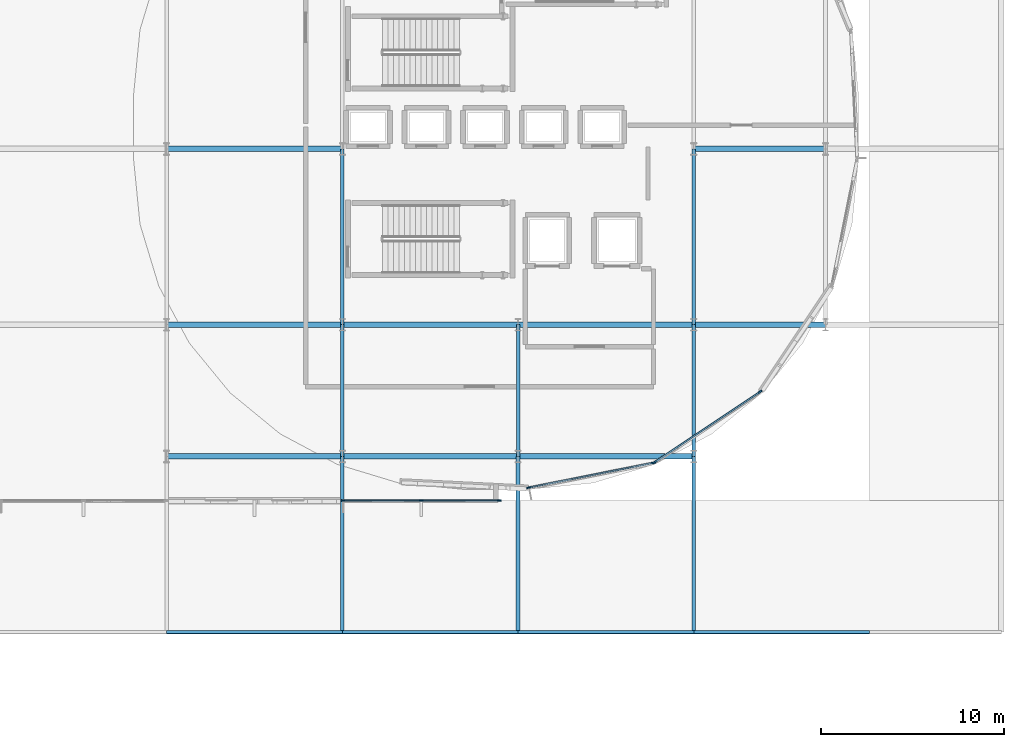
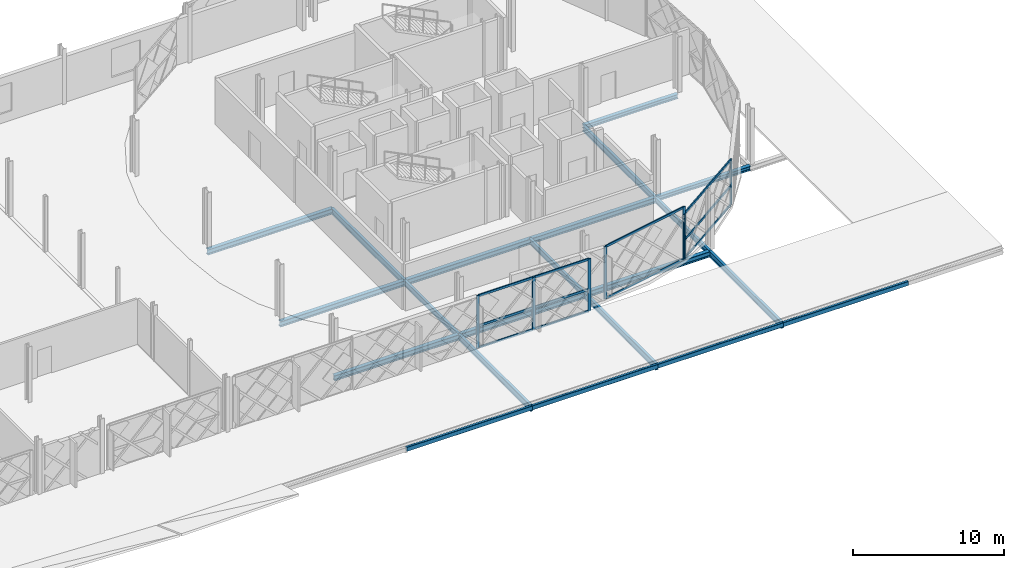
# One storey, part 51 of 101: 21 beams, 18 members, 3 elements without a shape of their own.
"""IFC4 building model written with IfcOpenShell, lengths in metres."""

from ifc_helpers import new_model, si_unit, direction, frame, origin, origin_2d, place, context, subcontext, project, spatial, rectangle, hollow_rectangle, i_section, extrude, material, layer, layer_set, material_profile, profile_set, type_object, element, aggregate, save


model = new_model("IFC4")

# Units and contexts
model_context = context("Model", 3, precision=1e-05, world=origin(), true_north=direction((0.0, 1.0)))
body_context = subcontext(model_context, "Body", "Model", "MODEL_VIEW")
ifc_project = project(units=[si_unit("LENGTHUNIT", "METRE"), si_unit("AREAUNIT", "SQUARE_METRE"), si_unit("VOLUMEUNIT", "CUBIC_METRE"), si_unit("PLANEANGLEUNIT", "RADIAN"), si_unit("MASSUNIT", "GRAM", prefix="KILO")], contexts=[model_context])

# Site, building, storey
site_placement = place(None, origin())
site = spatial("IfcSite", under=ifc_project, at=site_placement, CompositionType="ELEMENT")
building_placement = place(site_placement, origin())
building = spatial("IfcBuilding", under=site, at=building_placement, Name="Zevrakil Square Congress Hotel", CompositionType="ELEMENT")
storey_placement = place(building_placement, frame((0.0, 0.0, 5.39990234375)))
storey = spatial("IfcBuildingStorey", under=building, at=storey_placement, Name="L02", CompositionType="ELEMENT", Elevation=5.39990234375)

# Beams
ifc_material_1 = material(Name="Steel S355", Category="steel")
ifc_material_profile_1 = material_profile(ifc_material_1, i_section(OverallWidth=0.300048828125, OverallDepth=0.35009765625, WebThickness=0.010009765625, FlangeThickness=0.017578125, FilletRadius=0.027099609375, at=origin_2d()), Name="HEA 360")
ifc_profile_set_1 = profile_set([ifc_material_profile_1], Name="Steel S355")
beam_type_1 = type_object("IfcBeamType", Name="BM-HEA360", PredefinedType="BEAM", material=ifc_profile_set_1)
for number, where, z_axis, x_axis, name in (
    (1, (156.0, 16.800048828125, -0.434814453125), (1.0, 0.0, 0.0), (0.0, 1.0, 0.0), "L02 primary girder BX-0705"),
    (2, (156.0, 26.39990234375, -0.434814453125), (1.0, 0.0, 0.0), (0.0, 1.0, 0.0), "L02 primary girder BX-0716"),
):
    element("IfcBeam", number, at=place(storey_placement, frame(where, z_axis=z_axis, x_axis=x_axis)), inside=storey, type_object=beam_type_1, Name=name, PredefinedType="BEAM", context=body_context, shape_type="SweptSolid", body=[
        extrude(i_section(OverallWidth=0.300048828125, OverallDepth=0.35009765625, WebThickness=0.010009765625, FlangeThickness=0.017578125, FilletRadius=0.027099609375, at=origin_2d()), origin(), (0.0, 0.0, 1.0), 7.199951171875),
    ])
ifc_material_2 = material(Name="Steel S355", Category="steel")
ifc_material_profile_2 = material_profile(ifc_material_2, i_section(OverallWidth=0.300048828125, OverallDepth=0.43994140625, WebThickness=0.011474609375, FlangeThickness=0.02099609375, FilletRadius=0.027099609375, at=origin_2d()), Name="HEA 450")
ifc_profile_set_2 = profile_set([ifc_material_profile_2], Name="Steel S355")
beam_type_2 = type_object("IfcBeamType", Name="BM-HEA450", PredefinedType="BEAM", material=ifc_profile_set_2)
beam_1_placement = place(storey_placement, frame((127.199951171875, 9.60009765625, -0.47998046875), z_axis=(1.0, 0.0, 0.0), x_axis=(0.0, 1.0, 0.0)))
element("IfcBeam", 3, at=beam_1_placement, inside=storey, type_object=beam_type_2, Name="L02 primary girder BX-0689", PredefinedType="BEAM", context=body_context, shape_type="SweptSolid", body=[
    extrude(i_section(OverallWidth=0.300048828125, OverallDepth=0.43994140625, WebThickness=0.011474609375, FlangeThickness=0.02099609375, FilletRadius=0.027099609375, at=origin_2d()), origin(), (0.0, 0.0, 1.0), 9.60009765625),
])
beam_2_placement = place(storey_placement, frame((136.800048828125, 9.60009765625, -0.47998046875), z_axis=(1.0, 0.0, 0.0), x_axis=(0.0, 1.0, 0.0)))
element("IfcBeam", 4, at=beam_2_placement, inside=storey, type_object=beam_type_2, Name="L02 primary girder BX-0690", PredefinedType="BEAM", context=body_context, shape_type="SweptSolid", body=[
    extrude(i_section(OverallWidth=0.300048828125, OverallDepth=0.43994140625, WebThickness=0.011474609375, FlangeThickness=0.02099609375, FilletRadius=0.027099609375, at=origin_2d()), origin(), (0.0, 0.0, 1.0), 9.599853515625),
])
for number, where, z_axis, x_axis, name in (
    (5, (146.39990234375, 9.60009765625, -0.47998046875), (1.0, 0.0, 0.0), (0.0, 1.0, 0.0), "L02 primary girder BX-0691"),
    (6, (127.199951171875, 16.800048828125, -0.47998046875), (1.0, 0.0, 0.0), (0.0, 1.0, 0.0), "L02 primary girder BX-0702"),
):
    element("IfcBeam", number, at=place(storey_placement, frame(where, z_axis=z_axis, x_axis=x_axis)), inside=storey, type_object=beam_type_2, Name=name, PredefinedType="BEAM", context=body_context, shape_type="SweptSolid", body=[
        extrude(i_section(OverallWidth=0.300048828125, OverallDepth=0.43994140625, WebThickness=0.011474609375, FlangeThickness=0.02099609375, FilletRadius=0.027099609375, at=origin_2d()), origin(), (0.0, 0.0, 1.0), 9.60009765625),
    ])
beam_3_placement = place(storey_placement, frame((136.800048828125, 16.800048828125, -0.47998046875), z_axis=(1.0, 0.0, 0.0), x_axis=(0.0, 1.0, 0.0)))
element("IfcBeam", 7, at=beam_3_placement, inside=storey, type_object=beam_type_2, Name="L02 primary girder BX-0703", PredefinedType="BEAM", context=body_context, shape_type="SweptSolid", body=[
    extrude(i_section(OverallWidth=0.300048828125, OverallDepth=0.43994140625, WebThickness=0.011474609375, FlangeThickness=0.02099609375, FilletRadius=0.027099609375, at=origin_2d()), origin(), (0.0, 0.0, 1.0), 9.599853515625),
])
for number, where, z_axis, x_axis, name in (
    (8, (146.39990234375, 16.800048828125, -0.47998046875), (1.0, 0.0, 0.0), (0.0, 1.0, 0.0), "L02 primary girder BX-0704"),
    (9, (127.199951171875, 26.39990234375, -0.47998046875), (1.0, 0.0, 0.0), (0.0, 1.0, 0.0), "L02 primary girder BX-0715"),
):
    element("IfcBeam", number, at=place(storey_placement, frame(where, z_axis=z_axis, x_axis=x_axis)), inside=storey, type_object=beam_type_2, Name=name, PredefinedType="BEAM", context=body_context, shape_type="SweptSolid", body=[
        extrude(i_section(OverallWidth=0.300048828125, OverallDepth=0.43994140625, WebThickness=0.011474609375, FlangeThickness=0.02099609375, FilletRadius=0.027099609375, at=origin_2d()), origin(), (0.0, 0.0, 1.0), 9.60009765625),
    ])
ifc_material_3 = material(Name="Steel S355", Category="steel")
ifc_material_profile_3 = material_profile(ifc_material_3, i_section(OverallWidth=0.18994140625, OverallDepth=0.449951171875, WebThickness=0.009521484375, FlangeThickness=0.0146484375, FilletRadius=0.02099609375, at=origin_2d()), Name="IPE 450")
ifc_profile_set_3 = profile_set([ifc_material_profile_3], Name="Steel S355")
beam_type_3 = type_object("IfcBeamType", Name="BM-IPE450", PredefinedType="BEAM", material=ifc_profile_set_3)
for number, where, z_axis, x_axis, name in (
    (10, (136.800048828125, 9.60009765625, -0.48486328125), (0.0, 1.0, 0.0), (-1.0, 0.0, 0.0), "L02 primary girder BY-0938"),
    (11, (146.39990234375, 9.60009765625, -0.48486328125), (0.0, 1.0, 0.0), (-1.0, 0.0, 0.0), "L02 primary girder BY-0943"),
    (12, (156.0, 9.60009765625, -0.48486328125), (0.0, 1.0, 0.0), (-1.0, 0.0, 0.0), "L02 primary girder BY-0945"),
):
    element("IfcBeam", number, at=place(storey_placement, frame(where, z_axis=z_axis, x_axis=x_axis)), inside=storey, type_object=beam_type_3, Name=name, PredefinedType="BEAM", context=body_context, shape_type="SweptSolid", body=[
        extrude(i_section(OverallWidth=0.18994140625, OverallDepth=0.449951171875, WebThickness=0.009521484375, FlangeThickness=0.0146484375, FilletRadius=0.02099609375, at=origin_2d()), origin(), (0.0, 0.0, 1.0), 7.199951171875),
    ])
ifc_material_4 = material(Name="Steel S355", Category="steel")
ifc_material_profile_4 = material_profile(ifc_material_4, i_section(OverallWidth=0.199951171875, OverallDepth=0.5, WebThickness=0.01025390625, FlangeThickness=0.01611328125, FilletRadius=0.02099609375, at=origin_2d()), Name="IPE 500")
ifc_profile_set_4 = profile_set([ifc_material_profile_4], Name="Steel S355")
beam_type_4 = type_object("IfcBeamType", Name="BM-IPE500", PredefinedType="BEAM", material=ifc_profile_set_4)
beam_4_placement = place(storey_placement, frame((136.800048828125, 0.0, -0.510009765625), z_axis=(0.0, 1.0, 0.0), x_axis=(-1.0, 0.0, 0.0)))
element("IfcBeam", 13, at=beam_4_placement, inside=storey, type_object=beam_type_4, Name="L02 primary girder BY-0937", PredefinedType="BEAM", context=body_context, shape_type="SweptSolid", body=[
    extrude(i_section(OverallWidth=0.199951171875, OverallDepth=0.5, WebThickness=0.01025390625, FlangeThickness=0.01611328125, FilletRadius=0.02099609375, at=origin_2d()), origin(), (0.0, 0.0, 1.0), 9.60009765625),
])
beam_5_placement = place(storey_placement, frame((136.800048828125, 16.800048828125, -0.510009765625), z_axis=(0.0, 1.0, 0.0), x_axis=(-1.0, 0.0, 0.0)))
element("IfcBeam", 14, at=beam_5_placement, inside=storey, type_object=beam_type_4, Name="L02 primary girder BY-0939", PredefinedType="BEAM", context=body_context, shape_type="SweptSolid", body=[
    extrude(i_section(OverallWidth=0.199951171875, OverallDepth=0.5, WebThickness=0.01025390625, FlangeThickness=0.01611328125, FilletRadius=0.02099609375, at=origin_2d()), origin(), (0.0, 0.0, 1.0), 9.599853515625),
])
for number, where, z_axis, x_axis, name in (
    (15, (146.39990234375, 0.0, -0.510009765625), (0.0, 1.0, 0.0), (-1.0, 0.0, 0.0), "L02 primary girder BY-0942"),
    (16, (156.0, 0.0, -0.510009765625), (0.0, 1.0, 0.0), (-1.0, 0.0, 0.0), "L02 primary girder BY-0944"),
):
    element("IfcBeam", number, at=place(storey_placement, frame(where, z_axis=z_axis, x_axis=x_axis)), inside=storey, type_object=beam_type_4, Name=name, PredefinedType="BEAM", context=body_context, shape_type="SweptSolid", body=[
        extrude(i_section(OverallWidth=0.199951171875, OverallDepth=0.5, WebThickness=0.01025390625, FlangeThickness=0.01611328125, FilletRadius=0.02099609375, at=origin_2d()), origin(), (0.0, 0.0, 1.0), 9.60009765625),
    ])
beam_6_placement = place(storey_placement, frame((156.0, 16.800048828125, -0.510009765625), z_axis=(0.0, 1.0, 0.0), x_axis=(-1.0, 0.0, 0.0)))
element("IfcBeam", 17, at=beam_6_placement, inside=storey, type_object=beam_type_4, Name="L02 primary girder BY-0946", PredefinedType="BEAM", context=body_context, shape_type="SweptSolid", body=[
    extrude(i_section(OverallWidth=0.199951171875, OverallDepth=0.5, WebThickness=0.01025390625, FlangeThickness=0.01611328125, FilletRadius=0.02099609375, at=origin_2d()), origin(), (0.0, 0.0, 1.0), 9.599853515625),
])

# Curtain wall, members
ifc_material_5 = material(Name="Aluminium Anodised Bronze", Category="aluminium")
ifc_layer_1 = layer(ifc_material_5, 0.179931640625)
ifc_layer_set_1 = layer_set([ifc_layer_1], Name="Aluminium Anodised Bronze")
curtain_wall_type_1 = type_object("IfcCurtainWallType", Name="CW-L02-840", PredefinedType="USERDEFINED", material=ifc_layer_set_1)
curtain_wall_1_placement = place(storey_placement, origin())
curtain_wall_1 = element("IfcCurtainWall", 18, at=curtain_wall_1_placement, inside=storey, type_object=curtain_wall_type_1, Name="L02 diamond curtain wall CW-L02-0016", ObjectType="GLAZED CURTAIN WALL", PredefinedType="USERDEFINED")
ifc_material_6 = material(Name="Aluminium Anodised Bronze", Category="aluminium")
ifc_material_profile_5 = material_profile(ifc_material_6, rectangle(XDim=0.0849609375, YDim=0.179931640625, at=origin_2d()), Name="ALU 85x180")
ifc_profile_set_5 = profile_set([ifc_material_profile_5], Name="Aluminium Anodised Bronze")
member_type_1 = type_object("IfcMemberType", Name="CWM-ALU85x180", PredefinedType="USERDEFINED", material=ifc_profile_set_5)
member_1_placement = place(storey_placement, frame((136.863037109375, 7.199951171875, 0.030029296875), z_axis=(1.0, 0.0, 0.0), x_axis=(0.0, 1.0, 0.0)))
member_1 = element("IfcMember", 19, at=member_1_placement, type_object=member_type_1, Name="CW-23 transom 1.1", ObjectType="TRANSOM", PredefinedType="USERDEFINED", context=body_context, shape_type="SweptSolid", body=[
    extrude(rectangle(XDim=0.0849609375, YDim=0.179931640625, at=origin_2d()), origin(), (0.0, 0.0, 1.0), 4.20849609375),
])
member_2_placement = place(storey_placement, frame((136.863037109375, 7.199951171875, 1.781005859375), z_axis=(1.0, 0.0, 0.0), x_axis=(0.0, 1.0, 0.0)))
member_2 = element("IfcMember", 20, at=member_2_placement, type_object=member_type_1, Name="CW-23 transom 1.2", ObjectType="TRANSOM", PredefinedType="USERDEFINED", context=body_context, shape_type="SweptSolid", body=[
    extrude(rectangle(XDim=0.0849609375, YDim=0.179931640625, at=origin_2d()), origin(), (0.0, 0.0, 1.0), 4.20849609375),
])
member_3_placement = place(storey_placement, frame((136.863037109375, 7.199951171875, 4.210205078125), z_axis=(1.0, 0.0, 0.0), x_axis=(0.0, 1.0, 0.0)))
member_3 = element("IfcMember", 21, at=member_3_placement, type_object=member_type_1, Name="CW-23 transom 1.3", ObjectType="TRANSOM", PredefinedType="USERDEFINED", context=body_context, shape_type="SweptSolid", body=[
    extrude(rectangle(XDim=0.0849609375, YDim=0.179931640625, at=origin_2d()), origin(), (0.0, 0.0, 1.0), 4.20849609375),
])
member_4_placement = place(storey_placement, frame((141.131591796875, 7.199951171875, 0.030029296875), z_axis=(1.0, 0.0, 0.0), x_axis=(0.0, 1.0, 0.0)))
member_4 = element("IfcMember", 22, at=member_4_placement, type_object=member_type_1, Name="CW-23 transom 2.1", ObjectType="TRANSOM", PredefinedType="USERDEFINED", context=body_context, shape_type="SweptSolid", body=[
    extrude(rectangle(XDim=0.0849609375, YDim=0.179931640625, at=origin_2d()), origin(), (0.0, 0.0, 1.0), 4.20849609375),
])
member_5_placement = place(storey_placement, frame((141.131591796875, 7.199951171875, 1.781005859375), z_axis=(1.0, 0.0, 0.0), x_axis=(0.0, 1.0, 0.0)))
member_5 = element("IfcMember", 23, at=member_5_placement, type_object=member_type_1, Name="CW-23 transom 2.2", ObjectType="TRANSOM", PredefinedType="USERDEFINED", context=body_context, shape_type="SweptSolid", body=[
    extrude(rectangle(XDim=0.0849609375, YDim=0.179931640625, at=origin_2d()), origin(), (0.0, 0.0, 1.0), 4.20849609375),
])
member_6_placement = place(storey_placement, frame((141.131591796875, 7.199951171875, 4.210205078125), z_axis=(1.0, 0.0, 0.0), x_axis=(0.0, 1.0, 0.0)))
member_6 = element("IfcMember", 24, at=member_6_placement, type_object=member_type_1, Name="CW-23 transom 2.3", ObjectType="TRANSOM", PredefinedType="USERDEFINED", context=body_context, shape_type="SweptSolid", body=[
    extrude(rectangle(XDim=0.0849609375, YDim=0.179931640625, at=origin_2d()), origin(), (0.0, 0.0, 1.0), 4.20849609375),
])

ifc_material_7 = material(Name="Aluminium Anodised Bronze", Category="aluminium")
ifc_layer_2 = layer(ifc_material_7, 0.179931640625)
ifc_layer_set_2 = layer_set([ifc_layer_2], Name="Aluminium Anodised Bronze")
curtain_wall_type_2 = type_object("IfcCurtainWallType", Name="CW-L02-720", PredefinedType="USERDEFINED", material=ifc_layer_set_2)
curtain_wall_2_placement = place(storey_placement, origin())
curtain_wall_2 = element("IfcCurtainWall", 25, at=curtain_wall_2_placement, inside=storey, type_object=curtain_wall_type_2, Name="L02 diamond curtain wall CW-L02-0153", ObjectType="GLAZED CURTAIN WALL", PredefinedType="USERDEFINED")
member_7_placement = place(storey_placement, frame((147.013916015625, 7.901611328125, 0.030029296875), z_axis=(0.98078740996, 0.195079615704, 0.0), x_axis=(-0.195079615704, 0.98078740996, 0.0)))
member_7 = element("IfcMember", 26, at=member_7_placement, type_object=member_type_1, Name="CW-22 transom 1.1", ObjectType="TRANSOM", PredefinedType="USERDEFINED", context=body_context, shape_type="SweptSolid", body=[
    extrude(rectangle(XDim=0.0849609375, YDim=0.179931640625, at=origin_2d()), origin(), (0.0, 0.0, 1.0), 6.8857421875),
])
member_8_placement = place(storey_placement, frame((147.013916015625, 7.901611328125, 4.210205078125), z_axis=(0.98078740996, 0.195079615704, 0.0), x_axis=(-0.195079615704, 0.98078740996, 0.0)))
member_8 = element("IfcMember", 27, at=member_8_placement, type_object=member_type_1, Name="CW-22 transom 1.2", ObjectType="TRANSOM", PredefinedType="USERDEFINED", context=body_context, shape_type="SweptSolid", body=[
    extrude(rectangle(XDim=0.0849609375, YDim=0.179931640625, at=origin_2d()), origin(), (0.0, 0.0, 1.0), 6.8857421875),
])

curtain_wall_3_placement = place(storey_placement, origin())
curtain_wall_3 = element("IfcCurtainWall", 28, at=curtain_wall_3_placement, inside=storey, type_object=curtain_wall_type_2, Name="L02 diamond curtain wall CW-L02-0154", ObjectType="GLAZED CURTAIN WALL", PredefinedType="USERDEFINED")
member_9_placement = place(storey_placement, frame((153.8759765625, 9.2900390625, 0.030029296875), z_axis=(0.8314771011, 0.555559025079, 0.0), x_axis=(-0.555559025079, 0.8314771011, 0.0)))
member_9 = element("IfcMember", 29, at=member_9_placement, type_object=member_type_1, Name="CW-22 transom 1.1", ObjectType="TRANSOM", PredefinedType="USERDEFINED", context=body_context, shape_type="SweptSolid", body=[
    extrude(rectangle(XDim=0.0849609375, YDim=0.179931640625, at=origin_2d()), origin(), (0.0, 0.0, 1.0), 6.8857421875),
])
member_10_placement = place(storey_placement, frame((153.8759765625, 9.2900390625, 1.5478515625), z_axis=(0.8314771011, 0.555559025079, 0.0), x_axis=(-0.555559025079, 0.8314771011, 0.0)))
member_10 = element("IfcMember", 30, at=member_10_placement, type_object=member_type_1, Name="CW-22 transom 1.2", ObjectType="TRANSOM", PredefinedType="USERDEFINED", context=body_context, shape_type="SweptSolid", body=[
    extrude(rectangle(XDim=0.0849609375, YDim=0.179931640625, at=origin_2d()), origin(), (0.0, 0.0, 1.0), 6.8857421875),
])
member_11_placement = place(storey_placement, frame((153.8759765625, 9.2900390625, 3.655029296875), z_axis=(0.8314771011, 0.555559025079, 0.0), x_axis=(-0.555559025079, 0.8314771011, 0.0)))
member_11 = element("IfcMember", 31, at=member_11_placement, type_object=member_type_1, Name="CW-22 transom 1.3", ObjectType="TRANSOM", PredefinedType="USERDEFINED", context=body_context, shape_type="SweptSolid", body=[
    extrude(rectangle(XDim=0.0849609375, YDim=0.179931640625, at=origin_2d()), origin(), (0.0, 0.0, 1.0), 6.8857421875),
])

# Member
ifc_material_8 = material(Name="Aluminium Anodised Bronze", Category="aluminium")
ifc_material_profile_6 = material_profile(ifc_material_8, rectangle(XDim=0.0849609375, YDim=0.219970703125, at=origin_2d()), Name="ALU 85x220")
ifc_profile_set_6 = profile_set([ifc_material_profile_6], Name="Aluminium Anodised Bronze")
member_type_2 = type_object("IfcMemberType", Name="CWM-ALU85x220", PredefinedType="MULLION", material=ifc_profile_set_6)
member_12_placement = place(storey_placement, frame((136.8330078125, 7.199951171875, 0.0), z_axis=(0.0, 0.0, 1.0), x_axis=(0.0, 1.0, 0.0)))
member_12 = element("IfcMember", 32, at=member_12_placement, type_object=member_type_2, Name="CW-23 mullion 1", PredefinedType="MULLION", context=body_context, shape_type="SweptSolid", body=[
    extrude(rectangle(XDim=0.0849609375, YDim=0.219970703125, at=origin_2d()), origin(), (0.0, 0.0, 1.0), 4.239990234375),
])

member_13_placement = place(storey_placement, frame((141.1015625, 7.199951171875, 0.0), z_axis=(0.0, 0.0, 1.0), x_axis=(0.0, 1.0, 0.0)))
member_13 = element("IfcMember", 33, at=member_13_placement, type_object=member_type_2, Name="CW-23 mullion 2", PredefinedType="MULLION", context=body_context, shape_type="SweptSolid", body=[
    extrude(rectangle(XDim=0.0849609375, YDim=0.219970703125, at=origin_2d()), origin(), (0.0, 0.0, 1.0), 4.239990234375),
])

member_14_placement = place(storey_placement, frame((145.3701171875, 7.199951171875, 0.0), z_axis=(0.0, 0.0, 1.0), x_axis=(0.0, 1.0, 0.0)))
member_14 = element("IfcMember", 34, at=member_14_placement, type_object=member_type_2, Name="CW-23 mullion 3", PredefinedType="MULLION", context=body_context, shape_type="SweptSolid", body=[
    extrude(rectangle(XDim=0.0849609375, YDim=0.219970703125, at=origin_2d()), origin(), (0.0, 0.0, 1.0), 4.239990234375),
])

aggregate(curtain_wall_1, [member_12, member_13, member_14, member_1, member_2, member_3, member_4, member_5, member_6])

member_15_placement = place(storey_placement, frame((146.984375, 7.895751953125, 0.0), z_axis=(0.0, 0.0, 1.0), x_axis=(-0.195083900459, 0.980786557708, 0.0)))
member_15 = element("IfcMember", 35, at=member_15_placement, type_object=member_type_2, Name="CW-22 mullion 1", PredefinedType="MULLION", context=body_context, shape_type="SweptSolid", body=[
    extrude(rectangle(XDim=0.0849609375, YDim=0.219970703125, at=origin_2d()), origin(), (0.0, 0.0, 1.0), 4.239990234375),
])

member_16_placement = place(storey_placement, frame((153.796630859375, 9.250732421875, 0.0), z_axis=(0.0, 0.0, 1.0), x_axis=(-0.195083900459, 0.980786557708, 0.0)))
member_16 = element("IfcMember", 36, at=member_16_placement, type_object=member_type_2, Name="CW-22 mullion 2", PredefinedType="MULLION", context=body_context, shape_type="SweptSolid", body=[
    extrude(rectangle(XDim=0.0849609375, YDim=0.219970703125, at=origin_2d()), origin(), (0.0, 0.0, 1.0), 4.239990234375),
])

aggregate(curtain_wall_2, [member_15, member_16, member_7, member_8])

member_17_placement = place(storey_placement, frame((153.85107421875, 9.2734375, 0.0), z_axis=(0.0, 0.0, 1.0), x_axis=(-0.555576098128, 0.831465693332, 0.0)))
member_17 = element("IfcMember", 37, at=member_17_placement, type_object=member_type_2, Name="CW-22 mullion 1", PredefinedType="MULLION", context=body_context, shape_type="SweptSolid", body=[
    extrude(rectangle(XDim=0.0849609375, YDim=0.219970703125, at=origin_2d()), origin(), (0.0, 0.0, 1.0), 3.68505859375),
])

member_18_placement = place(storey_placement, frame((159.626220703125, 13.13232421875, 0.0), z_axis=(0.0, 0.0, 1.0), x_axis=(-0.555576098128, 0.831465693332, 0.0)))
member_18 = element("IfcMember", 38, at=member_18_placement, type_object=member_type_2, Name="CW-22 mullion 2", PredefinedType="MULLION", context=body_context, shape_type="SweptSolid", body=[
    extrude(rectangle(XDim=0.0849609375, YDim=0.219970703125, at=origin_2d()), origin(), (0.0, 0.0, 1.0), 3.68505859375),
])

aggregate(curtain_wall_3, [member_17, member_18, member_9, member_10, member_11])

# Beams
ifc_material_9 = material(Name="Steel S355", Category="steel")
ifc_material_profile_7 = material_profile(ifc_material_9, hollow_rectangle(XDim=0.199951171875, YDim=0.35009765625, WallThickness=0.01611328125, InnerFilletRadius=0.01611328125, OuterFilletRadius=0.031982421875, at=origin_2d()), Name="RHS 350x200x16")
ifc_profile_set_7 = profile_set([ifc_material_profile_7], Name="Steel S355")
beam_type_5 = type_object("IfcBeamType", Name="SPD-RHS350", PredefinedType="SPANDREL", material=ifc_profile_set_7)
beam_7_placement = place(storey_placement, frame((127.199951171875, 0.0, -0.434814453125), z_axis=(1.0, 0.0, 0.0), x_axis=(0.0, 1.0, 0.0)))
element("IfcBeam", 39, at=beam_7_placement, inside=storey, type_object=beam_type_5, Name="L02 primary girder BX-0671", PredefinedType="SPANDREL", context=body_context, shape_type="SweptSolid", body=[
    extrude(hollow_rectangle(XDim=0.199951171875, YDim=0.35009765625, WallThickness=0.01611328125, InnerFilletRadius=0.01611328125, OuterFilletRadius=0.031982421875, at=origin_2d()), origin(), (0.0, 0.0, 1.0), 9.60009765625),
])
beam_8_placement = place(storey_placement, frame((136.800048828125, 0.0, -0.434814453125), z_axis=(1.0, 0.0, 0.0), x_axis=(0.0, 1.0, 0.0)))
element("IfcBeam", 40, at=beam_8_placement, inside=storey, type_object=beam_type_5, Name="L02 primary girder BX-0672", PredefinedType="SPANDREL", context=body_context, shape_type="SweptSolid", body=[
    extrude(hollow_rectangle(XDim=0.199951171875, YDim=0.35009765625, WallThickness=0.01611328125, InnerFilletRadius=0.01611328125, OuterFilletRadius=0.031982421875, at=origin_2d()), origin(), (0.0, 0.0, 1.0), 9.599853515625),
])
for number, where, z_axis, x_axis, name in (
    (41, (146.39990234375, 0.0, -0.434814453125), (1.0, 0.0, 0.0), (0.0, 1.0, 0.0), "L02 primary girder BX-0673"),
    (42, (156.0, 0.0, -0.434814453125), (1.0, 0.0, 0.0), (0.0, 1.0, 0.0), "L02 primary girder BX-0674"),
):
    element("IfcBeam", number, at=place(storey_placement, frame(where, z_axis=z_axis, x_axis=x_axis)), inside=storey, type_object=beam_type_5, Name=name, PredefinedType="SPANDREL", context=body_context, shape_type="SweptSolid", body=[
        extrude(hollow_rectangle(XDim=0.199951171875, YDim=0.35009765625, WallThickness=0.01611328125, InnerFilletRadius=0.01611328125, OuterFilletRadius=0.031982421875, at=origin_2d()), origin(), (0.0, 0.0, 1.0), 9.60009765625),
    ])

save(model, "model.ifc")
